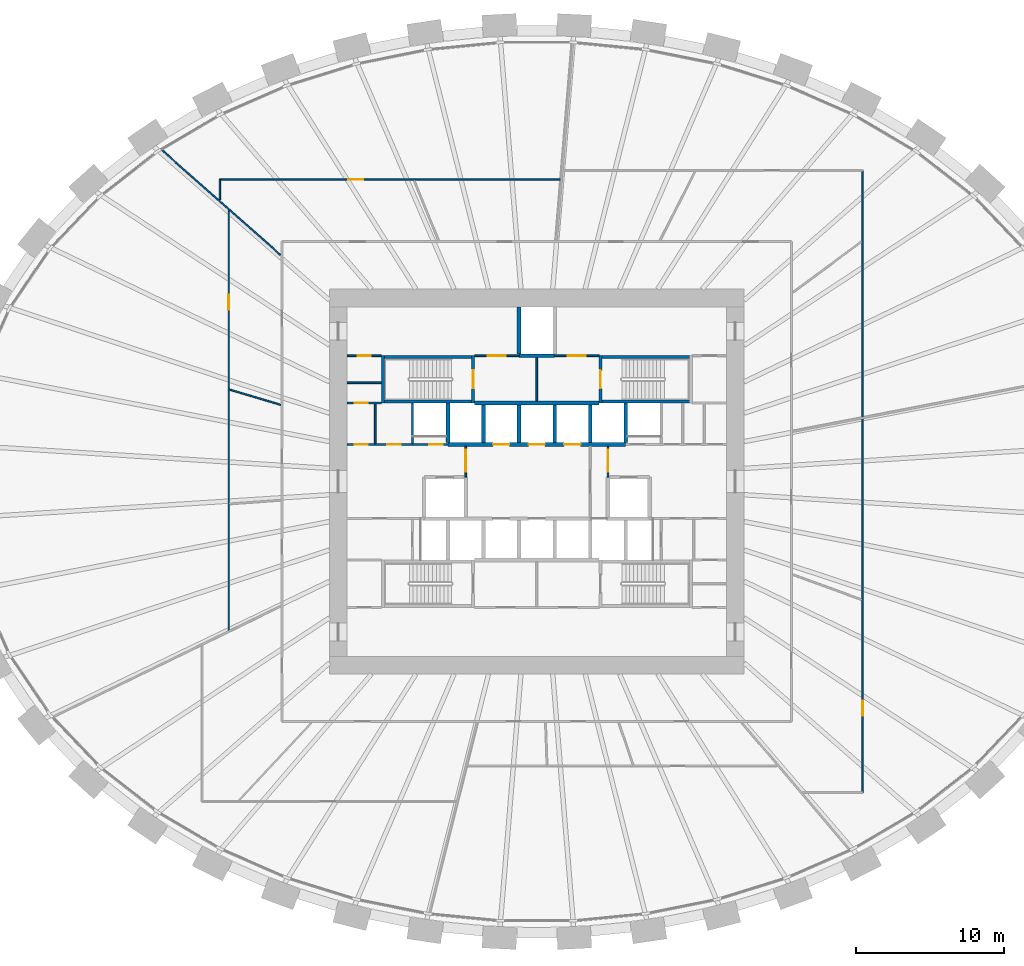
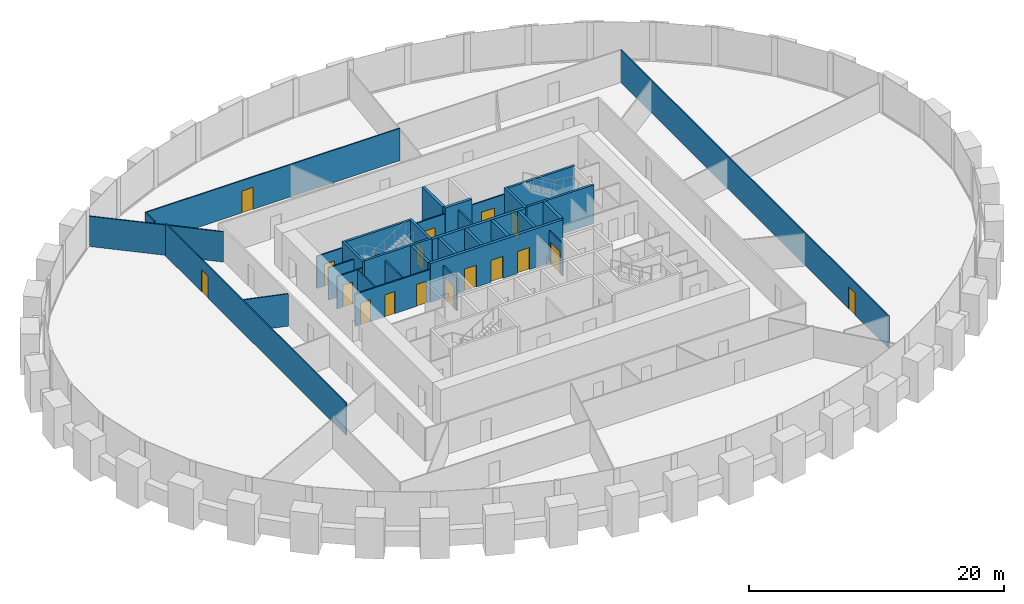
# One storey, part 8 of 10: 34 walls, 17 doors, 17 openings.
"""IFC4 building model written with IfcOpenShell, lengths in metres."""

from ifc_helpers import new_model, si_unit, direction, frame, frame_2d, origin, place, context, subcontext, project, spatial, rectangle, extrude, source, transform, mapped, material, layer, layer_set, type_object, element, fill, save


model = new_model("IFC4")

# Units and contexts
model_context = context("Model", 3, precision=1e-05, world=origin(), true_north=direction((0.0, 1.0)))
body_context = subcontext(model_context, "Body", "Model", "MODEL_VIEW")
ifc_project = project(units=[si_unit("LENGTHUNIT", "METRE"), si_unit("AREAUNIT", "SQUARE_METRE"), si_unit("VOLUMEUNIT", "CUBIC_METRE"), si_unit("PLANEANGLEUNIT", "RADIAN"), si_unit("MASSUNIT", "GRAM", prefix="KILO")], contexts=[model_context])

# Site, building, storey
site_placement = place(None, origin())
site = spatial("IfcSite", under=ifc_project, at=site_placement, CompositionType="ELEMENT")
building_placement = place(site_placement, origin())
building = spatial("IfcBuilding", under=site, at=building_placement, Name="Embergate Tower", CompositionType="ELEMENT")
storey_placement = place(building_placement, frame((0.0, 0.0, 117.199951171875)))
storey = spatial("IfcBuildingStorey", under=building, at=storey_placement, Name="L25", CompositionType="ELEMENT", Elevation=117.199951171875)

# Walls
ifc_material_1 = material(Name="Concrete C50", Category="concrete")
ifc_layer_1 = layer(ifc_material_1, 0.25)
ifc_layer_set_1 = layer_set([ifc_layer_1], Name="Concrete C50")
wall_type_1 = type_object("IfcWallType", Name="Hoistway wall reinforced concrete 250", PredefinedType="SHEAR", material=ifc_layer_set_1)
shared_shape_1 = source(origin(), body_context, "Body", "SweptSolid", [
    extrude(rectangle(XDim=2.675048828125, YDim=0.25, at=frame_2d((1.33740234375, 0.0))), origin(), (0.0, 0.0, 1.0), 3.699951171875),
])
for number, where, z_axis, x_axis, name in (
    (1, (-6.0, 2.625, 0.0), (0.0, 0.0, 1.0), (0.0, 1.0, 0.0), "HW-1 wall"),
    (2, (6.0, 2.625, 0.0), (0.0, 0.0, 1.0), (0.0, 1.0, 0.0), "HW-1 wall"),
):
    element("IfcWall", number, at=place(storey_placement, frame(where, z_axis=z_axis, x_axis=x_axis)), inside=storey, type_object=wall_type_1, Name=name, PredefinedType="SHEAR", context=body_context, shape_type="MappedRepresentation", body=[
        mapped(shared_shape_1, transform((0.0, 0.0, 0.0))),
    ])

# Wall, openings, doors
ifc_material_2 = material(Name="Core partition blockwork 120")
ifc_layer_2 = layer(ifc_material_2, 0.1201171875)
ifc_layer_set_2 = layer_set([ifc_layer_2], Name="Core partition blockwork 120")
wall_type_2 = type_object("IfcWallType", Name="Core partition blockwork 120", PredefinedType="PARTITIONING", material=ifc_layer_set_2)
shared_shape_2 = source(origin(), body_context, "Body", "SweptSolid", [
    extrude(rectangle(XDim=6.800048828125, YDim=0.1201171875, at=frame_2d((3.39990234375, 0.0))), origin(), (0.0, 0.0, 1.0), 3.10009765625),
])
wall_1_placement = place(storey_placement, frame((-12.800048828125, 2.5, 0.0), z_axis=(0.0, 0.0, 1.0), x_axis=(1.0, 0.0, 0.0)))
wall_1 = element("IfcWall", 3, at=wall_1_placement, inside=storey, type_object=wall_type_2, Name="IP-3 wall", PredefinedType="PARTITIONING", context=body_context, shape_type="MappedRepresentation", body=[
    mapped(shared_shape_2, transform((0.0, 0.0, 0.0))),
])
shared_shape_3 = source(origin(), body_context, "Body", "SweptSolid", [
    extrude(rectangle(XDim=0.89990234375, YDim=2.10009765625, at=frame_2d((0.449951171875, 1.050048828125))), frame((0.0, 0.070068359375, 0.0), z_axis=(0.0, -1.0, 0.0), x_axis=(1.0, 0.0, 0.0)), (0.0, 0.0, 1.0), 0.14013671875),
])
opening_1_placement = place(wall_1_placement, frame((5.550048828125, 0.0, 0.0)))
opening_1 = element("IfcOpeningElement", 4, at=opening_1_placement, cuts=wall_1, Name="Opening ID-1", PredefinedType="OPENING", context=body_context, shape_type="MappedRepresentation", body=[
    mapped(shared_shape_3, transform((0.0, 0.0, 0.0))),
])
opening_2_placement = place(wall_1_placement, frame((0.49609375, 0.0, 0.0)))
opening_2 = element("IfcOpeningElement", 5, at=opening_2_placement, cuts=wall_1, Name="Opening ID-1", PredefinedType="OPENING", context=body_context, shape_type="MappedRepresentation", body=[
    mapped(shared_shape_3, transform((0.0, 0.0, 0.0))),
])
opening_3_placement = place(wall_1_placement, frame((2.696044921875, 0.0, 0.0)))
opening_3 = element("IfcOpeningElement", 6, at=opening_3_placement, cuts=wall_1, Name="Opening ID-1", PredefinedType="OPENING", context=body_context, shape_type="MappedRepresentation", body=[
    mapped(shared_shape_3, transform((0.0, 0.0, 0.0))),
])
ifc_material_3 = material(Name="Interior door 900")
door_type_1 = type_object("IfcDoorType", Name="Interior door 900", OperationType="SINGLE_SWING_LEFT", PredefinedType="DOOR", material=ifc_material_3)
shared_shape_4 = source(origin(), body_context, "Body", "SweptSolid", [
    extrude(rectangle(XDim=0.89990234375, YDim=2.10009765625, at=frame_2d((0.449951171875, 1.050048828125))), frame((0.0, 0.02490234375, 0.0), z_axis=(0.0, -1.0, 0.0), x_axis=(1.0, 0.0, 0.0)), (0.0, 0.0, 1.0), 0.050048828125),
])
door_1_placement = place(opening_1_placement, origin())
door_1 = element("IfcDoor", 7, at=door_1_placement, inside=storey, type_object=door_type_1, Name="ID-1 door", OperationType="SINGLE_SWING_RIGHT", OverallHeight=2.10009765625, OverallWidth=0.89990234375, PredefinedType="DOOR", context=body_context, shape_type="MappedRepresentation", body=[
    mapped(shared_shape_4, transform((0.0, 0.0, 0.0))),
])
fill(opening_1, door_1)
door_2_placement = place(opening_2_placement, origin())
door_2 = element("IfcDoor", 8, at=door_2_placement, inside=storey, type_object=door_type_1, Name="ID-1 door", OperationType="SINGLE_SWING_RIGHT", OverallHeight=2.10009765625, OverallWidth=0.89990234375, PredefinedType="DOOR", context=body_context, shape_type="MappedRepresentation", body=[
    mapped(shared_shape_4, transform((0.0, 0.0, 0.0))),
])
fill(opening_2, door_2)
door_3_placement = place(opening_3_placement, origin())
door_3 = element("IfcDoor", 9, at=door_3_placement, inside=storey, type_object=door_type_1, Name="ID-1 door", OperationType="SINGLE_SWING_LEFT", OverallHeight=2.10009765625, OverallWidth=0.89990234375, PredefinedType="DOOR", context=body_context, shape_type="MappedRepresentation", body=[
    mapped(shared_shape_4, transform((0.0, 0.0, 0.0))),
])
fill(opening_3, door_3)

# Walls
ifc_layer_3 = layer(ifc_material_1, 0.199951171875)
ifc_layer_set_3 = layer_set([ifc_layer_3], Name="Concrete C50")
wall_type_3 = type_object("IfcWallType", Name="Stair enclosure wall reinforced concrete 250", PredefinedType="SHEAR", material=ifc_layer_set_3)
shared_shape_5 = source(origin(), body_context, "Body", "SweptSolid", [
    extrude(rectangle(XDim=6.300048828125, YDim=0.199951171875, at=frame_2d((3.14990234375, 0.0))), origin(), (0.0, 0.0, 1.0), 3.699951171875),
])
for number, where, z_axis, x_axis, name in (
    (10, (-4.199951171875, 5.39990234375, 0.0), (0.0, 0.0, 1.0), (-1.0, 0.0, 0.0), "SE-1 wall"),
    (11, (10.5, 5.39990234375, 0.0), (0.0, 0.0, 1.0), (-1.0, 0.0, 0.0), "SE-1 wall"),
    (12, (-4.199951171875, 8.39990234375, 0.0), (0.0, 0.0, 1.0), (-1.0, 0.0, 0.0), "SE-1 wall"),
    (13, (10.5, 8.39990234375, 0.0), (0.0, 0.0, 1.0), (-1.0, 0.0, 0.0), "SE-1 wall"),
):
    element("IfcWall", number, at=place(storey_placement, frame(where, z_axis=z_axis, x_axis=x_axis)), inside=storey, type_object=wall_type_3, Name=name, PredefinedType="SHEAR", context=body_context, shape_type="MappedRepresentation", body=[
        mapped(shared_shape_5, transform((0.0, 0.0, 0.0))),
    ])
shared_shape_6 = source(origin(), body_context, "Body", "SweptSolid", [
    extrude(rectangle(XDim=2.739990234375, YDim=0.1201171875, at=frame_2d((1.3701171875, 0.0))), origin(), (0.0, 0.0, 1.0), 3.10009765625),
])
wall_2_placement = place(storey_placement, frame((-8.39990234375, 5.300048828125, 0.0), z_axis=(0.0, 0.0, 1.0), x_axis=(0.0, -1.0, 0.0)))
element("IfcWall", 14, at=wall_2_placement, inside=storey, type_object=wall_type_2, Name="IP-3 wall", PredefinedType="PARTITIONING", context=body_context, shape_type="MappedRepresentation", body=[
    mapped(shared_shape_6, transform((0.0, 0.0, 0.0))),
])
shared_shape_7 = source(origin(), body_context, "Body", "SweptSolid", [
    extrude(rectangle(XDim=2.550048828125, YDim=0.25, at=frame_2d((1.27490234375, 0.0))), origin(), (0.0, 0.0, 1.0), 3.699951171875),
])
for number, where, z_axis, x_axis, name in (
    (15, (-3.60009765625, 2.625, 0.0), (0.0, 0.0, 1.0), (0.0, 1.0, 0.0), "HW-1 wall"),
    (16, (-1.199951171875, 2.625, 0.0), (0.0, 0.0, 1.0), (0.0, 1.0, 0.0), "HW-1 wall"),
    (17, (1.199951171875, 2.625, 0.0), (0.0, 0.0, 1.0), (0.0, 1.0, 0.0), "HW-1 wall"),
    (18, (3.60009765625, 2.625, 0.0), (0.0, 0.0, 1.0), (0.0, 1.0, 0.0), "HW-1 wall"),
):
    element("IfcWall", number, at=place(storey_placement, frame(where, z_axis=z_axis, x_axis=x_axis)), inside=storey, type_object=wall_type_1, Name=name, PredefinedType="SHEAR", context=body_context, shape_type="MappedRepresentation", body=[
        mapped(shared_shape_7, transform((0.0, 0.0, 0.0))),
    ])

# Wall, openings, doors
shared_shape_8 = source(origin(), body_context, "Body", "SweptSolid", [
    extrude(rectangle(XDim=12.0, YDim=0.25, at=frame_2d((6.0, 0.0))), origin(), (0.0, 0.0, 1.0), 3.699951171875),
])
wall_3_placement = place(storey_placement, frame((-6.0, 2.5, 0.0), z_axis=(0.0, 0.0, 1.0), x_axis=(1.0, 0.0, 0.0)))
wall_3 = element("IfcWall", 19, at=wall_3_placement, inside=storey, type_object=wall_type_1, Name="HW-1 wall", PredefinedType="SHEAR", context=body_context, shape_type="MappedRepresentation", body=[
    mapped(shared_shape_8, transform((0.0, 0.0, 0.0))),
])
shared_shape_9 = source(origin(), body_context, "Body", "SweptSolid", [
    extrude(rectangle(XDim=1.10009765625, YDim=2.10009765625, at=frame_2d((0.550048828125, 1.050048828125))), frame((0.0, 0.135009765625, 0.0), z_axis=(0.0, -1.0, 0.0), x_axis=(1.0, 0.0, 0.0)), (0.0, 0.0, 1.0), 0.27001953125),
])
opening_4_placement = place(wall_3_placement, frame((3.050048828125, 0.0, 0.0)))
opening_4 = element("IfcOpeningElement", 20, at=opening_4_placement, cuts=wall_3, Name="Opening LD", PredefinedType="OPENING", context=body_context, shape_type="MappedRepresentation", body=[
    mapped(shared_shape_9, transform((0.0, 0.0, 0.0))),
])
opening_5_placement = place(wall_3_placement, frame((5.449951171875, 0.0, 0.0)))
opening_5 = element("IfcOpeningElement", 21, at=opening_5_placement, cuts=wall_3, Name="Opening LD", PredefinedType="OPENING", context=body_context, shape_type="MappedRepresentation", body=[
    mapped(shared_shape_9, transform((0.0, 0.0, 0.0))),
])
opening_6_placement = place(wall_3_placement, frame((7.85009765625, 0.0, 0.0)))
opening_6 = element("IfcOpeningElement", 22, at=opening_6_placement, cuts=wall_3, Name="Opening LD", PredefinedType="OPENING", context=body_context, shape_type="MappedRepresentation", body=[
    mapped(shared_shape_9, transform((0.0, 0.0, 0.0))),
])
ifc_material_4 = material(Name="Landing door sliding 1100")
door_type_2 = type_object("IfcDoorType", Name="Landing door sliding 1100", OperationType="SLIDING_TO_LEFT", PredefinedType="DOOR", material=ifc_material_4)
shared_shape_10 = source(origin(), body_context, "Body", "SweptSolid", [
    extrude(rectangle(XDim=1.10009765625, YDim=2.10009765625, at=frame_2d((0.550048828125, 1.050048828125))), frame((0.0, 0.02490234375, 0.0), z_axis=(0.0, -1.0, 0.0), x_axis=(1.0, 0.0, 0.0)), (0.0, 0.0, 1.0), 0.050048828125),
])
door_4_placement = place(opening_4_placement, origin())
door_4 = element("IfcDoor", 23, at=door_4_placement, inside=storey, type_object=door_type_2, Name="LD door", OperationType="SLIDING_TO_RIGHT", OverallHeight=2.10009765625, OverallWidth=1.10009765625, PredefinedType="DOOR", context=body_context, shape_type="MappedRepresentation", body=[
    mapped(shared_shape_10, transform((0.0, 0.0, 0.0))),
])
fill(opening_4, door_4)
door_5_placement = place(opening_5_placement, origin())
door_5 = element("IfcDoor", 24, at=door_5_placement, inside=storey, type_object=door_type_2, Name="LD door", OperationType="SLIDING_TO_RIGHT", OverallHeight=2.10009765625, OverallWidth=1.10009765625, PredefinedType="DOOR", context=body_context, shape_type="MappedRepresentation", body=[
    mapped(shared_shape_10, transform((0.0, 0.0, 0.0))),
])
fill(opening_5, door_5)
door_6_placement = place(opening_6_placement, origin())
door_6 = element("IfcDoor", 25, at=door_6_placement, inside=storey, type_object=door_type_2, Name="LD door", OperationType="SLIDING_TO_RIGHT", OverallHeight=2.10009765625, OverallWidth=1.10009765625, PredefinedType="DOOR", context=body_context, shape_type="MappedRepresentation", body=[
    mapped(shared_shape_10, transform((0.0, 0.0, 0.0))),
])
fill(opening_6, door_6)

# Wall
shared_shape_11 = source(origin(), body_context, "Body", "SweptSolid", [
    extrude(rectangle(XDim=8.39990234375, YDim=0.25, at=frame_2d((4.199951171875, 0.0))), origin(), (0.0, 0.0, 1.0), 3.699951171875),
])
wall_4_placement = place(storey_placement, frame((4.199951171875, 5.300048828125, 0.0), z_axis=(0.0, 0.0, 1.0), x_axis=(-1.0, 0.0, 0.0)))
element("IfcWall", 26, at=wall_4_placement, inside=storey, type_object=wall_type_1, Name="HW-1 wall", PredefinedType="SHEAR", context=body_context, shape_type="MappedRepresentation", body=[
    mapped(shared_shape_11, transform((0.0, 0.0, 0.0))),
])

# Wall, opening, door
shared_shape_12 = source(origin(), body_context, "Body", "SweptSolid", [
    extrude(rectangle(XDim=2.074951171875, YDim=0.1201171875, at=frame_2d((1.03759765625, 0.0))), origin(), (0.0, 0.0, 1.0), 3.10009765625),
])
wall_5_placement = place(storey_placement, frame((-4.800048828125, 2.375, 0.0), z_axis=(0.0, 0.0, 1.0), x_axis=(0.0, -1.0, 0.0)))
wall_5 = element("IfcWall", 27, at=wall_5_placement, inside=storey, type_object=wall_type_2, Name="IP-3 wall", PredefinedType="PARTITIONING", context=body_context, shape_type="MappedRepresentation", body=[
    mapped(shared_shape_12, transform((0.0, 0.0, 0.0))),
])
shared_shape_13 = source(origin(), body_context, "Body", "SweptSolid", [
    extrude(rectangle(XDim=1.5, YDim=2.10009765625, at=frame_2d((0.75, 1.050048828125))), frame((0.0, 0.070068359375, 0.0), z_axis=(0.0, -1.0, 0.0), x_axis=(1.0, 0.0, 0.0)), (0.0, 0.0, 1.0), 0.14013671875),
])
opening_7_placement = place(wall_5_placement, frame((0.22509765625, 0.0, 0.0)))
opening_7 = element("IfcOpeningElement", 28, at=opening_7_placement, cuts=wall_5, Name="Opening IF-3", PredefinedType="OPENING", context=body_context, shape_type="MappedRepresentation", body=[
    mapped(shared_shape_13, transform((0.0, 0.0, 0.0))),
])
ifc_material_5 = material(Name="Lobby fire door pair 1500")
door_type_3 = type_object("IfcDoorType", Name="Lobby fire door pair 1500", OperationType="DOUBLE_DOOR_SINGLE_SWING", PredefinedType="DOOR", material=ifc_material_5)
shared_shape_14 = source(origin(), body_context, "Body", "SweptSolid", [
    extrude(rectangle(XDim=1.5, YDim=2.10009765625, at=frame_2d((0.75, 1.050048828125))), frame((0.0, 0.02490234375, 0.0), z_axis=(0.0, -1.0, 0.0), x_axis=(1.0, 0.0, 0.0)), (0.0, 0.0, 1.0), 0.050048828125),
])
door_7_placement = place(opening_7_placement, origin())
door_7 = element("IfcDoor", 29, at=door_7_placement, inside=storey, type_object=door_type_3, Name="IF-3 door", OperationType="DOUBLE_DOOR_SINGLE_SWING", OverallHeight=2.10009765625, OverallWidth=1.5, PredefinedType="DOOR", context=body_context, shape_type="MappedRepresentation", body=[
    mapped(shared_shape_14, transform((0.0, 0.0, 0.0))),
])
fill(opening_7, door_7)

wall_6_placement = place(storey_placement, frame((4.800048828125, 0.300048828125, 0.0), z_axis=(0.0, 0.0, 1.0), x_axis=(0.0, 1.0, 0.0)))
wall_6 = element("IfcWall", 30, at=wall_6_placement, inside=storey, type_object=wall_type_2, Name="IP-3 wall", PredefinedType="PARTITIONING", context=body_context, shape_type="MappedRepresentation", body=[
    mapped(shared_shape_12, transform((0.0, 0.0, 0.0))),
])
opening_8_placement = place(wall_6_placement, frame((0.35009765625, 0.0, 0.0)))
opening_8 = element("IfcOpeningElement", 31, at=opening_8_placement, cuts=wall_6, Name="Opening IF-3", PredefinedType="OPENING", context=body_context, shape_type="MappedRepresentation", body=[
    mapped(shared_shape_13, transform((0.0, 0.0, 0.0))),
])
door_8_placement = place(opening_8_placement, origin())
door_8 = element("IfcDoor", 32, at=door_8_placement, inside=storey, type_object=door_type_3, Name="IF-3 door", OperationType="DOUBLE_DOOR_SINGLE_SWING", OverallHeight=2.10009765625, OverallWidth=1.5, PredefinedType="DOOR", context=body_context, shape_type="MappedRepresentation", body=[
    mapped(shared_shape_14, transform((0.0, 0.0, 0.0))),
])
fill(opening_8, door_8)

shared_shape_15 = source(origin(), body_context, "Body", "SweptSolid", [
    extrude(rectangle(XDim=3.199951171875, YDim=0.199951171875, at=frame_2d((1.60009765625, 0.0))), origin(), (0.0, 0.0, 1.0), 3.699951171875),
])
wall_7_placement = place(storey_placement, frame((-4.300048828125, 5.300048828125, 0.0), z_axis=(0.0, 0.0, 1.0), x_axis=(0.0, 1.0, 0.0)))
wall_7 = element("IfcWall", 33, at=wall_7_placement, inside=storey, type_object=wall_type_3, Name="SE-1 wall", PredefinedType="SHEAR", context=body_context, shape_type="MappedRepresentation", body=[
    mapped(shared_shape_15, transform((0.0, 0.0, 0.0))),
])
shared_shape_16 = source(origin(), body_context, "Body", "SweptSolid", [
    extrude(rectangle(XDim=1.199951171875, YDim=2.10009765625, at=frame_2d((0.60009765625, 1.050048828125))), frame((0.0, 0.10986328125, 0.0), z_axis=(0.0, -1.0, 0.0), x_axis=(1.0, 0.0, 0.0)), (0.0, 0.0, 1.0), 0.219970703125),
])
opening_9_placement = place(wall_7_placement, frame((1.0, 0.0, 0.0)))
opening_9 = element("IfcOpeningElement", 34, at=opening_9_placement, cuts=wall_7, Name="Opening IF-2", PredefinedType="OPENING", context=body_context, shape_type="MappedRepresentation", body=[
    mapped(shared_shape_16, transform((0.0, 0.0, 0.0))),
])
ifc_material_6 = material(Name="Stair enclosure door 1200")
door_type_4 = type_object("IfcDoorType", Name="Stair enclosure door 1200", OperationType="SINGLE_SWING_LEFT", PredefinedType="DOOR", material=ifc_material_6)
shared_shape_17 = source(origin(), body_context, "Body", "SweptSolid", [
    extrude(rectangle(XDim=1.199951171875, YDim=2.10009765625, at=frame_2d((0.60009765625, 1.050048828125))), frame((0.0, 0.02490234375, 0.0), z_axis=(0.0, -1.0, 0.0), x_axis=(1.0, 0.0, 0.0)), (0.0, 0.0, 1.0), 0.050048828125),
])
door_9_placement = place(opening_9_placement, origin())
door_9 = element("IfcDoor", 35, at=door_9_placement, inside=storey, type_object=door_type_4, Name="IF-2 door", OperationType="SINGLE_SWING_RIGHT", OverallHeight=2.10009765625, OverallWidth=1.199951171875, PredefinedType="DOOR", context=body_context, shape_type="MappedRepresentation", body=[
    mapped(shared_shape_17, transform((0.0, 0.0, 0.0))),
])
fill(opening_9, door_9)

# Wall
wall_8_placement = place(storey_placement, frame((-10.39990234375, 8.5, 0.0), z_axis=(0.0, 0.0, 1.0), x_axis=(0.0, -1.0, 0.0)))
element("IfcWall", 36, at=wall_8_placement, inside=storey, type_object=wall_type_3, Name="SE-1 wall", PredefinedType="SHEAR", context=body_context, shape_type="MappedRepresentation", body=[
    mapped(shared_shape_15, transform((0.0, 0.0, 0.0))),
])

# Wall, opening, door
wall_9_placement = place(storey_placement, frame((4.300048828125, 8.5, 0.0), z_axis=(0.0, 0.0, 1.0), x_axis=(0.0, -1.0, 0.0)))
wall_9 = element("IfcWall", 37, at=wall_9_placement, inside=storey, type_object=wall_type_3, Name="SE-1 wall", PredefinedType="SHEAR", context=body_context, shape_type="MappedRepresentation", body=[
    mapped(shared_shape_15, transform((0.0, 0.0, 0.0))),
])
opening_10_placement = place(wall_9_placement, frame((1.0, 0.0, 0.0)))
opening_10 = element("IfcOpeningElement", 38, at=opening_10_placement, cuts=wall_9, Name="Opening IF-2", PredefinedType="OPENING", context=body_context, shape_type="MappedRepresentation", body=[
    mapped(shared_shape_16, transform((0.0, 0.0, 0.0))),
])
door_10_placement = place(opening_10_placement, origin())
door_10 = element("IfcDoor", 39, at=door_10_placement, inside=storey, type_object=door_type_4, Name="IF-2 door", OperationType="SINGLE_SWING_LEFT", OverallHeight=2.10009765625, OverallWidth=1.199951171875, PredefinedType="DOOR", context=body_context, shape_type="MappedRepresentation", body=[
    mapped(shared_shape_17, transform((0.0, 0.0, 0.0))),
])
fill(opening_10, door_10)

# Wall
shared_shape_18 = source(origin(), body_context, "Body", "SweptSolid", [
    extrude(rectangle(XDim=2.949951171875, YDim=0.1201171875, at=frame_2d((1.47509765625, 0.0))), origin(), (0.0, 0.0, 1.0), 3.10009765625),
])
wall_10_placement = place(storey_placement, frame((0.0, 5.425048828125, 0.0), z_axis=(0.0, 0.0, 1.0), x_axis=(0.0, 1.0, 0.0)))
element("IfcWall", 40, at=wall_10_placement, inside=storey, type_object=wall_type_2, Name="IP-3 wall", PredefinedType="PARTITIONING", context=body_context, shape_type="MappedRepresentation", body=[
    mapped(shared_shape_18, transform((0.0, 0.0, 0.0))),
])

# Wall, opening, door
shared_shape_19 = source(origin(), body_context, "Body", "SweptSolid", [
    extrude(rectangle(XDim=3.0, YDim=0.1201171875, at=frame_2d((1.5, 0.0))), origin(), (0.0, 0.0, 1.0), 3.10009765625),
])
wall_11_placement = place(storey_placement, frame((-1.199951171875, 8.5, 0.0), z_axis=(0.0, 0.0, 1.0), x_axis=(-1.0, 0.0, 0.0)))
wall_11 = element("IfcWall", 41, at=wall_11_placement, inside=storey, type_object=wall_type_2, Name="IP-3 wall", PredefinedType="PARTITIONING", context=body_context, shape_type="MappedRepresentation", body=[
    mapped(shared_shape_19, transform((0.0, 0.0, 0.0))),
])
shared_shape_20 = source(origin(), body_context, "Body", "SweptSolid", [
    extrude(rectangle(XDim=1.199951171875, YDim=2.10009765625, at=frame_2d((0.60009765625, 1.050048828125))), frame((0.0, 0.070068359375, 0.0), z_axis=(0.0, -1.0, 0.0), x_axis=(1.0, 0.0, 0.0)), (0.0, 0.0, 1.0), 0.14013671875),
])
opening_11_placement = place(wall_11_placement, frame((0.89990234375, 0.0, 0.0)))
opening_11 = element("IfcOpeningElement", 42, at=opening_11_placement, cuts=wall_11, Name="Opening IF-3f", PredefinedType="OPENING", context=body_context, shape_type="MappedRepresentation", body=[
    mapped(shared_shape_20, transform((0.0, 0.0, 0.0))),
])
ifc_material_7 = material(Name="Lobby fire door pair 1200")
door_type_5 = type_object("IfcDoorType", Name="Lobby fire door pair 1200", OperationType="DOUBLE_DOOR_SINGLE_SWING", PredefinedType="DOOR", material=ifc_material_7)
door_11_placement = place(opening_11_placement, origin())
door_11 = element("IfcDoor", 43, at=door_11_placement, inside=storey, type_object=door_type_5, Name="IF-3 door", OperationType="DOUBLE_DOOR_SINGLE_SWING", OverallHeight=2.10009765625, OverallWidth=1.199951171875, PredefinedType="DOOR", context=body_context, shape_type="MappedRepresentation", body=[
    mapped(shared_shape_17, transform((0.0, 0.0, 0.0))),
])
fill(opening_11, door_11)

wall_12_placement = place(storey_placement, frame((4.199951171875, 8.5, 0.0), z_axis=(0.0, 0.0, 1.0), x_axis=(-1.0, 0.0, 0.0)))
wall_12 = element("IfcWall", 44, at=wall_12_placement, inside=storey, type_object=wall_type_2, Name="IP-3 wall", PredefinedType="PARTITIONING", context=body_context, shape_type="MappedRepresentation", body=[
    mapped(shared_shape_19, transform((0.0, 0.0, 0.0))),
])
opening_12_placement = place(wall_12_placement, frame((0.89990234375, 0.0, 0.0)))
opening_12 = element("IfcOpeningElement", 45, at=opening_12_placement, cuts=wall_12, Name="Opening IF-3f", PredefinedType="OPENING", context=body_context, shape_type="MappedRepresentation", body=[
    mapped(shared_shape_20, transform((0.0, 0.0, 0.0))),
])
door_12_placement = place(opening_12_placement, origin())
door_12 = element("IfcDoor", 46, at=door_12_placement, inside=storey, type_object=door_type_5, Name="IF-3 door", OperationType="DOUBLE_DOOR_SINGLE_SWING", OverallHeight=2.10009765625, OverallWidth=1.199951171875, PredefinedType="DOOR", context=body_context, shape_type="MappedRepresentation", body=[
    mapped(shared_shape_17, transform((0.0, 0.0, 0.0))),
])
fill(opening_12, door_12)

# Walls
shared_shape_21 = source(origin(), body_context, "Body", "SweptSolid", [
    extrude(rectangle(XDim=2.39990234375, YDim=0.25, at=frame_2d((1.199951171875, 0.0))), origin(), (0.0, 0.0, 1.0), 3.699951171875),
])
wall_13_placement = place(storey_placement, frame((1.199951171875, 8.5, 0.0), z_axis=(0.0, 0.0, 1.0), x_axis=(-1.0, 0.0, 0.0)))
element("IfcWall", 47, at=wall_13_placement, inside=storey, type_object=wall_type_1, Name="HW-1 wall", PredefinedType="SHEAR", context=body_context, shape_type="MappedRepresentation", body=[
    mapped(shared_shape_21, transform((0.0, 0.0, 0.0))),
])
shared_shape_22 = source(origin(), body_context, "Body", "SweptSolid", [
    extrude(rectangle(XDim=3.175048828125, YDim=0.25, at=frame_2d((1.58740234375, 0.0))), origin(), (0.0, 0.0, 1.0), 3.699951171875),
])
wall_14_placement = place(storey_placement, frame((-1.199951171875, 8.625, 0.0), z_axis=(0.0, 0.0, 1.0), x_axis=(0.0, 1.0, 0.0)))
element("IfcWall", 48, at=wall_14_placement, inside=storey, type_object=wall_type_1, Name="HW-1 wall", PredefinedType="SHEAR", context=body_context, shape_type="MappedRepresentation", body=[
    mapped(shared_shape_22, transform((0.0, 0.0, 0.0))),
])

# Wall, opening, door
shared_shape_23 = source(origin(), body_context, "Body", "SweptSolid", [
    extrude(rectangle(XDim=2.300048828125, YDim=0.1201171875, at=frame_2d((1.14990234375, 0.0))), origin(), (0.0, 0.0, 1.0), 3.10009765625),
])
wall_15_placement = place(storey_placement, frame((-12.800048828125, 8.5, 0.0), z_axis=(0.0, 0.0, 1.0), x_axis=(1.0, 0.0, 0.0)))
wall_15 = element("IfcWall", 49, at=wall_15_placement, inside=storey, type_object=wall_type_2, Name="IP-3 wall", PredefinedType="PARTITIONING", context=body_context, shape_type="MappedRepresentation", body=[
    mapped(shared_shape_23, transform((0.0, 0.0, 0.0))),
])
opening_13_placement = place(wall_15_placement, frame((0.699951171875, 0.0, 0.0)))
opening_13 = element("IfcOpeningElement", 50, at=opening_13_placement, cuts=wall_15, Name="Opening ID-1", PredefinedType="OPENING", context=body_context, shape_type="MappedRepresentation", body=[
    mapped(shared_shape_3, transform((0.0, 0.0, 0.0))),
])
door_13_placement = place(opening_13_placement, origin())
door_13 = element("IfcDoor", 51, at=door_13_placement, inside=storey, type_object=door_type_1, Name="ID-1 door", OperationType="SINGLE_SWING_LEFT", OverallHeight=2.10009765625, OverallWidth=0.89990234375, PredefinedType="DOOR", context=body_context, shape_type="MappedRepresentation", body=[
    mapped(shared_shape_4, transform((0.0, 0.0, 0.0))),
])
fill(opening_13, door_13)

wall_16_placement = place(storey_placement, frame((-10.5, 5.300048828125, 0.0), z_axis=(0.0, 0.0, 1.0), x_axis=(-1.0, 0.0, 0.0)))
wall_16 = element("IfcWall", 52, at=wall_16_placement, inside=storey, type_object=wall_type_2, Name="IP-3 wall", PredefinedType="PARTITIONING", context=body_context, shape_type="MappedRepresentation", body=[
    mapped(shared_shape_23, transform((0.0, 0.0, 0.0))),
])
opening_14_placement = place(wall_16_placement, frame((0.904052734375, 0.0, 0.0)))
opening_14 = element("IfcOpeningElement", 53, at=opening_14_placement, cuts=wall_16, Name="Opening ID-1", PredefinedType="OPENING", context=body_context, shape_type="MappedRepresentation", body=[
    mapped(shared_shape_3, transform((0.0, 0.0, 0.0))),
])
door_14_placement = place(opening_14_placement, origin())
door_14 = element("IfcDoor", 54, at=door_14_placement, inside=storey, type_object=door_type_1, Name="ID-1 door", OperationType="SINGLE_SWING_LEFT", OverallHeight=2.10009765625, OverallWidth=0.89990234375, PredefinedType="DOOR", context=body_context, shape_type="MappedRepresentation", body=[
    mapped(shared_shape_4, transform((0.0, 0.0, 0.0))),
])
fill(opening_14, door_14)

# Walls
wall_17_placement = place(storey_placement, frame((-10.5, 6.676025390625, 0.0), z_axis=(0.0, 0.0, 1.0), x_axis=(-1.0, 0.0, 0.0)))
element("IfcWall", 55, at=wall_17_placement, inside=storey, type_object=wall_type_2, Name="IP-3 wall", PredefinedType="PARTITIONING", context=body_context, shape_type="MappedRepresentation", body=[
    mapped(shared_shape_23, transform((0.0, 0.0, 0.0))),
])
shared_shape_24 = source(origin(), body_context, "Body", "SweptSolid", [
    extrude(rectangle(XDim=2.679931640625, YDim=0.1201171875, at=frame_2d((1.33984375, 0.0))), origin(), (0.0, 0.0, 1.0), 3.10009765625),
])
wall_18_placement = place(storey_placement, frame((-10.907958984375, 2.56005859375, 0.0), z_axis=(0.0, 0.0, 1.0), x_axis=(0.0, 1.0, 0.0)))
element("IfcWall", 56, at=wall_18_placement, inside=storey, type_object=wall_type_2, Name="IP-3 wall", PredefinedType="PARTITIONING", context=body_context, shape_type="MappedRepresentation", body=[
    mapped(shared_shape_24, transform((0.0, 0.0, 0.0))),
])

# Wall, opening, door
ifc_material_8 = material(Name="Partition dry-lined 100")
ifc_layer_4 = layer(ifc_material_8, 0.10009765625)
ifc_layer_set_4 = layer_set([ifc_layer_4], Name="Partition dry-lined 100")
wall_type_4 = type_object("IfcWallType", Name="Partition dry-lined 100", PredefinedType="PARTITIONING", material=ifc_layer_set_4)
shared_shape_25 = source(origin(), body_context, "Body", "SweptSolid", [
    extrude(rectangle(XDim=42.0, YDim=0.10009765625, at=frame_2d((21.0, 0.0))), origin(), (0.0, 0.0, 1.0), 3.10009765625),
])
wall_19_placement = place(storey_placement, frame((22.0, 21.0, 0.0), z_axis=(0.0, 0.0, 1.0), x_axis=(0.0, -1.0, 0.0)))
wall_19 = element("IfcWall", 57, at=wall_19_placement, inside=storey, type_object=wall_type_4, Name="IP-1 wall", PredefinedType="PARTITIONING", context=body_context, shape_type="MappedRepresentation", body=[
    mapped(shared_shape_25, transform((0.0, 0.0, 0.0))),
])
shared_shape_26 = source(origin(), body_context, "Body", "SweptSolid", [
    extrude(rectangle(XDim=1.0, YDim=2.10009765625, at=frame_2d((0.5, 1.050048828125))), frame((0.0, 0.06005859375, 0.0), z_axis=(0.0, -1.0, 0.0), x_axis=(1.0, 0.0, 0.0)), (0.0, 0.0, 1.0), 0.1201171875),
])
opening_15_placement = place(wall_19_placement, frame((35.798095703125, 0.0, 0.0)))
opening_15 = element("IfcOpeningElement", 58, at=opening_15_placement, cuts=wall_19, Name="Opening ID-2", PredefinedType="OPENING", context=body_context, shape_type="MappedRepresentation", body=[
    mapped(shared_shape_26, transform((0.0, 0.0, 0.0))),
])
ifc_material_9 = material(Name="Interior door 1000")
door_type_6 = type_object("IfcDoorType", Name="Interior door 1000", OperationType="SINGLE_SWING_LEFT", PredefinedType="DOOR", material=ifc_material_9)
shared_shape_27 = source(origin(), body_context, "Body", "SweptSolid", [
    extrude(rectangle(XDim=1.0, YDim=2.10009765625, at=frame_2d((0.5, 1.050048828125))), frame((0.0, 0.02490234375, 0.0), z_axis=(0.0, -1.0, 0.0), x_axis=(1.0, 0.0, 0.0)), (0.0, 0.0, 1.0), 0.050048828125),
])
door_15_placement = place(opening_15_placement, origin())
door_15 = element("IfcDoor", 59, at=door_15_placement, inside=storey, type_object=door_type_6, Name="ID-2 door", OperationType="SINGLE_SWING_RIGHT", OverallHeight=2.10009765625, OverallWidth=1.0, PredefinedType="DOOR", context=body_context, shape_type="MappedRepresentation", body=[
    mapped(shared_shape_27, transform((0.0, 0.0, 0.0))),
])
fill(opening_15, door_15)

shared_shape_28 = source(origin(), body_context, "Body", "SweptSolid", [
    extrude(rectangle(XDim=23.017822265625, YDim=0.10009765625, at=frame_2d((11.5087890625, 0.0))), origin(), (0.0, 0.0, 1.0), 3.10009765625),
])
wall_20_placement = place(storey_placement, frame((1.617919921875, 20.39990234375, 0.0), z_axis=(0.0, 0.0, 1.0), x_axis=(-1.0, 0.0, 0.0)))
wall_20 = element("IfcWall", 60, at=wall_20_placement, inside=storey, type_object=wall_type_4, Name="IP-1 wall", PredefinedType="PARTITIONING", context=body_context, shape_type="MappedRepresentation", body=[
    mapped(shared_shape_28, transform((0.0, 0.0, 0.0))),
])
opening_16_placement = place(wall_20_placement, frame((13.333251953125, 0.0, 0.0)))
opening_16 = element("IfcOpeningElement", 61, at=opening_16_placement, cuts=wall_20, Name="Opening ID-2", PredefinedType="OPENING", context=body_context, shape_type="MappedRepresentation", body=[
    mapped(shared_shape_26, transform((0.0, 0.0, 0.0))),
])
door_16_placement = place(opening_16_placement, origin())
door_16 = element("IfcDoor", 62, at=door_16_placement, inside=storey, type_object=door_type_6, Name="ID-2 door", OperationType="SINGLE_SWING_RIGHT", OverallHeight=2.10009765625, OverallWidth=1.0, PredefinedType="DOOR", context=body_context, shape_type="MappedRepresentation", body=[
    mapped(shared_shape_27, transform((0.0, 0.0, 0.0))),
])
fill(opening_16, door_16)

# Walls
shared_shape_29 = source(origin(), body_context, "Body", "SweptSolid", [
    extrude(rectangle(XDim=1.367919921875, YDim=0.10009765625, at=frame_2d((0.68408203125, 0.0))), origin(), (0.0, 0.0, 1.0), 3.10009765625),
])
wall_21_placement = place(storey_placement, frame((-21.39990234375, 19.031982421875, 0.0), z_axis=(0.0, 0.0, 1.0), x_axis=(0.0, 1.0, 0.0)))
element("IfcWall", 63, at=wall_21_placement, inside=storey, type_object=wall_type_4, Name="IP-1 wall", PredefinedType="PARTITIONING", context=body_context, shape_type="MappedRepresentation", body=[
    mapped(shared_shape_29, transform((0.0, 0.0, 0.0))),
])
shared_shape_30 = source(origin(), body_context, "Body", "SweptSolid", [
    extrude(rectangle(XDim=10.761962890625, YDim=0.10009765625, at=frame_2d((5.380859375, 0.0))), origin(), (0.0, 0.0, 1.0), 2.900146484375),
])
wall_22_placement = place(storey_placement, frame((-17.30810546875, 15.302978515625, 0.0), z_axis=(0.0, 0.0, 1.0), x_axis=(-0.749129047392, 0.662424086483, 0.0)))
element("IfcWall", 64, at=wall_22_placement, inside=storey, type_object=wall_type_4, Name="IP-1 wall", PredefinedType="PARTITIONING", context=body_context, shape_type="MappedRepresentation", body=[
    mapped(shared_shape_30, transform((0.0, 0.0, 0.0))),
])
shared_shape_31 = source(origin(), body_context, "Body", "SweptSolid", [
    extrude(rectangle(XDim=3.59814453125, YDim=0.10009765625, at=frame_2d((1.799072265625, 0.0))), origin(), (0.0, 0.0, 1.0), 3.10009765625),
])
wall_23_placement = place(storey_placement, frame((-17.2890625, 5.177001953125, 0.0), z_axis=(0.0, 0.0, 1.0), x_axis=(-0.957988601083, 0.28680627642, 0.0)))
element("IfcWall", 65, at=wall_23_placement, inside=storey, type_object=wall_type_4, Name="IP-1 wall", PredefinedType="PARTITIONING", context=body_context, shape_type="MappedRepresentation", body=[
    mapped(shared_shape_31, transform((0.0, 0.0, 0.0))),
])

# Wall, opening, door
shared_shape_32 = source(origin(), body_context, "Body", "SweptSolid", [
    extrude(rectangle(XDim=28.325927734375, YDim=0.10009765625, at=frame_2d((14.1630859375, 0.0))), origin(), (0.0, 0.0, 1.0), 3.10009765625),
])
wall_24_placement = place(storey_placement, frame((-20.800048828125, -10.0458984375, 0.0), z_axis=(0.0, 0.0, 1.0), x_axis=(0.0, 1.0, 0.0)))
wall_24 = element("IfcWall", 66, at=wall_24_placement, inside=storey, type_object=wall_type_4, Name="IP-1 wall", PredefinedType="PARTITIONING", context=body_context, shape_type="MappedRepresentation", body=[
    mapped(shared_shape_32, transform((0.0, 0.0, 0.0))),
])
opening_17_placement = place(wall_24_placement, frame((21.6435546875, 0.0, 0.0)))
opening_17 = element("IfcOpeningElement", 67, at=opening_17_placement, cuts=wall_24, Name="Opening ID-2", PredefinedType="OPENING", context=body_context, shape_type="MappedRepresentation", body=[
    mapped(shared_shape_26, transform((0.0, 0.0, 0.0))),
])
door_17_placement = place(opening_17_placement, origin())
door_17 = element("IfcDoor", 68, at=door_17_placement, inside=storey, type_object=door_type_6, Name="ID-2 door", OperationType="SINGLE_SWING_LEFT", OverallHeight=2.10009765625, OverallWidth=1.0, PredefinedType="DOOR", context=body_context, shape_type="MappedRepresentation", body=[
    mapped(shared_shape_27, transform((0.0, 0.0, 0.0))),
])
fill(opening_17, door_17)

save(model, "model.ifc")
